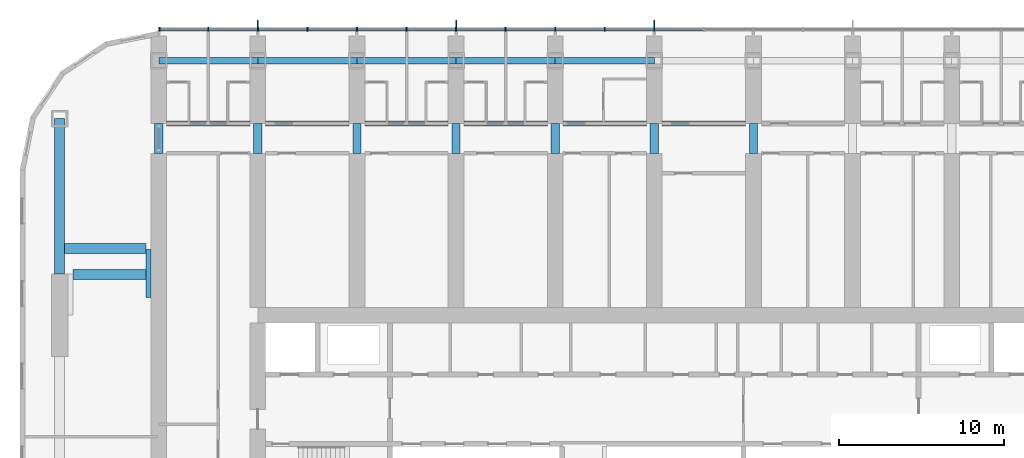
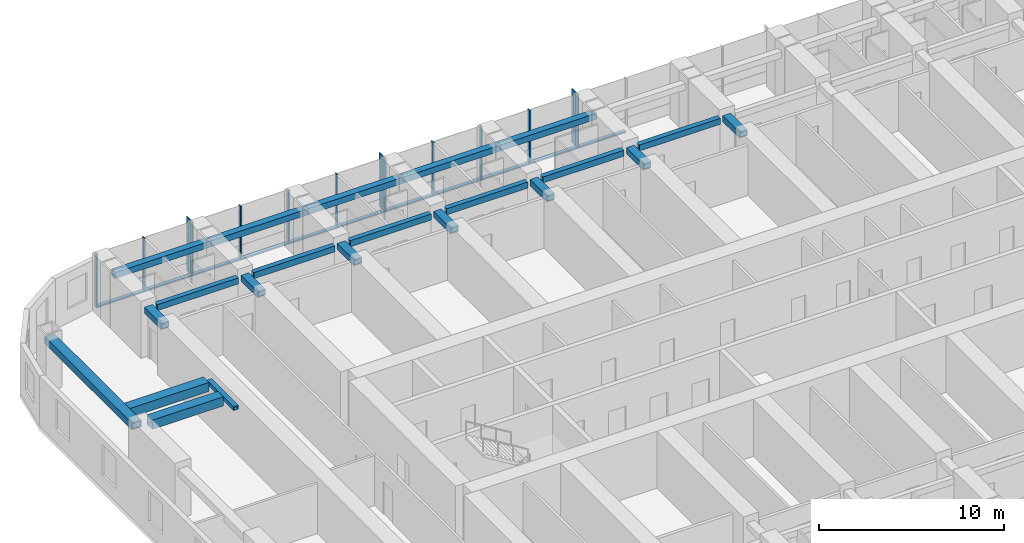
# One storey, part 4 of 22: 25 members, 22 beams, 1 element without a shape of its own.
"""IFC4 building model written with IfcOpenShell, lengths in metres."""

from ifc_helpers import new_model, si_unit, direction, frame, origin, origin_2d, place, context, subcontext, project, spatial, rectangle, hollow_rectangle, extrude, material, material_profile, profile_set, type_object, element, aggregate, save


model = new_model("IFC4")

# Units and contexts
model_context = context("Model", 3, precision=1e-05, world=origin(), true_north=direction((0.0, 1.0)))
body_context = subcontext(model_context, "Body", "Model", "MODEL_VIEW")
ifc_project = project(units=[si_unit("LENGTHUNIT", "METRE"), si_unit("AREAUNIT", "SQUARE_METRE"), si_unit("VOLUMEUNIT", "CUBIC_METRE"), si_unit("PLANEANGLEUNIT", "RADIAN"), si_unit("MASSUNIT", "GRAM", prefix="KILO")], contexts=[model_context])

# Site, building, storey
site_placement = place(None, origin())
site = spatial("IfcSite", under=ifc_project, at=site_placement, CompositionType="ELEMENT")
building_placement = place(site_placement, origin())
building = spatial("IfcBuilding", under=site, at=building_placement, Name="Orbita Commons", CompositionType="ELEMENT")
storey_placement = place(building_placement, frame((0.0, 0.0, 80.64990234375)))
storey = spatial("IfcBuildingStorey", under=building, at=storey_placement, Name="L19", CompositionType="ELEMENT", Elevation=80.64990234375)

# Curtain wall, members
ifc_material_1 = material(Name="Anodised aluminium frame, pale silver", Category="aluminium")
curtain_wall_type = type_object("IfcCurtainWallType", Name="Unitised curtain wall CW-T, vision and spandrel", PredefinedType="NOTDEFINED", material=ifc_material_1)
curtain_wall_placement = place(storey_placement, origin())
curtain_wall = element("IfcCurtainWall", 1, at=curtain_wall_placement, inside=storey, type_object=curtain_wall_type, Name="Curtain wall north L19", PredefinedType="NOTDEFINED")
ifc_material_2 = material(Name="Anodised aluminium, pale silver", Category="aluminium")
ifc_material_profile_1 = material_profile(ifc_material_2, rectangle(XDim=0.080078125, YDim=0.219970703125, at=origin_2d()), Name="AL 80x220")
ifc_profile_set_1 = profile_set([ifc_material_profile_1], Name="Anodised aluminium, pale silver")
member_type_1 = type_object("IfcMemberType", Name="Curtain wall mullion 80x220", PredefinedType="MULLION", material=ifc_profile_set_1)
member_1_placement = place(storey_placement, frame((42.0, 55.510009765625, -0.25), z_axis=(0.0, 0.0, 1.0), x_axis=(-1.0, 0.0, 0.0)))
member_1 = element("IfcMember", 2, at=member_1_placement, type_object=member_type_1, Name="Mullion 9 CW-L19-N", PredefinedType="MULLION", context=body_context, shape_type="SweptSolid", body=[
    extrude(rectangle(XDim=0.080078125, YDim=0.219970703125, at=origin_2d()), origin(), (0.0, 0.0, 1.0), 3.550048828125),
])
member_2_placement = place(storey_placement, frame((39.0, 55.510009765625, -0.25), z_axis=(0.0, 0.0, 1.0), x_axis=(-1.0, 0.0, 0.0)))
member_2 = element("IfcMember", 3, at=member_2_placement, type_object=member_type_1, Name="Mullion 10 CW-L19-N", PredefinedType="MULLION", context=body_context, shape_type="SweptSolid", body=[
    extrude(rectangle(XDim=0.080078125, YDim=0.219970703125, at=origin_2d()), origin(), (0.0, 0.0, 1.0), 3.550048828125),
])
member_3_placement = place(storey_placement, frame((36.0, 55.510009765625, -0.25), z_axis=(0.0, 0.0, 1.0), x_axis=(-1.0, 0.0, 0.0)))
member_3 = element("IfcMember", 4, at=member_3_placement, type_object=member_type_1, Name="Mullion 11 CW-L19-N", PredefinedType="MULLION", context=body_context, shape_type="SweptSolid", body=[
    extrude(rectangle(XDim=0.080078125, YDim=0.219970703125, at=origin_2d()), origin(), (0.0, 0.0, 1.0), 3.550048828125),
])
member_4_placement = place(storey_placement, frame((33.0, 55.510009765625, -0.25), z_axis=(0.0, 0.0, 1.0), x_axis=(-1.0, 0.0, 0.0)))
member_4 = element("IfcMember", 5, at=member_4_placement, type_object=member_type_1, Name="Mullion 12 CW-L19-N", PredefinedType="MULLION", context=body_context, shape_type="SweptSolid", body=[
    extrude(rectangle(XDim=0.080078125, YDim=0.219970703125, at=origin_2d()), origin(), (0.0, 0.0, 1.0), 3.550048828125),
])
member_5_placement = place(storey_placement, frame((30.0, 55.510009765625, -0.25), z_axis=(0.0, 0.0, 1.0), x_axis=(-1.0, 0.0, 0.0)))
member_5 = element("IfcMember", 6, at=member_5_placement, type_object=member_type_1, Name="Mullion 13 CW-L19-N", PredefinedType="MULLION", context=body_context, shape_type="SweptSolid", body=[
    extrude(rectangle(XDim=0.080078125, YDim=0.219970703125, at=origin_2d()), origin(), (0.0, 0.0, 1.0), 3.550048828125),
])
member_6_placement = place(storey_placement, frame((27.0, 55.510009765625, -0.25), z_axis=(0.0, 0.0, 1.0), x_axis=(-1.0, 0.0, 0.0)))
member_6 = element("IfcMember", 7, at=member_6_placement, type_object=member_type_1, Name="Mullion 14 CW-L19-N", PredefinedType="MULLION", context=body_context, shape_type="SweptSolid", body=[
    extrude(rectangle(XDim=0.080078125, YDim=0.219970703125, at=origin_2d()), origin(), (0.0, 0.0, 1.0), 3.550048828125),
])
member_7_placement = place(storey_placement, frame((24.0, 55.510009765625, -0.25), z_axis=(0.0, 0.0, 1.0), x_axis=(-1.0, 0.0, 0.0)))
member_7 = element("IfcMember", 8, at=member_7_placement, type_object=member_type_1, Name="Mullion 15 CW-L19-N", PredefinedType="MULLION", context=body_context, shape_type="SweptSolid", body=[
    extrude(rectangle(XDim=0.080078125, YDim=0.219970703125, at=origin_2d()), origin(), (0.0, 0.0, 1.0), 3.550048828125),
])
member_8_placement = place(storey_placement, frame((21.0, 55.510009765625, -0.25), z_axis=(0.0, 0.0, 1.0), x_axis=(-1.0, 0.0, 0.0)))
member_8 = element("IfcMember", 9, at=member_8_placement, type_object=member_type_1, Name="Mullion 16 CW-L19-N", PredefinedType="MULLION", context=body_context, shape_type="SweptSolid", body=[
    extrude(rectangle(XDim=0.080078125, YDim=0.219970703125, at=origin_2d()), origin(), (0.0, 0.0, 1.0), 3.550048828125),
])
member_9_placement = place(storey_placement, frame((18.0, 55.510009765625, -0.25), z_axis=(0.0, 0.0, 1.0), x_axis=(-1.0, 0.0, 0.0)))
member_9 = element("IfcMember", 10, at=member_9_placement, type_object=member_type_1, Name="Mullion 17 CW-L19-N", PredefinedType="MULLION", context=body_context, shape_type="SweptSolid", body=[
    extrude(rectangle(XDim=0.080078125, YDim=0.219970703125, at=origin_2d()), origin(), (0.0, 0.0, 1.0), 3.550048828125),
])
member_10_placement = place(storey_placement, frame((15.0, 55.510009765625, -0.25), z_axis=(0.0, 0.0, 1.0), x_axis=(-1.0, 0.0, 0.0)))
member_10 = element("IfcMember", 11, at=member_10_placement, type_object=member_type_1, Name="Mullion 18 CW-L19-N", PredefinedType="MULLION", context=body_context, shape_type="SweptSolid", body=[
    extrude(rectangle(XDim=0.080078125, YDim=0.219970703125, at=origin_2d()), origin(), (0.0, 0.0, 1.0), 3.550048828125),
])
member_11_placement = place(storey_placement, frame((12.0400390625, 55.510009765625, -0.25), z_axis=(0.0, 0.0, 1.0), x_axis=(-1.0, 0.0, 0.0)))
member_11 = element("IfcMember", 12, at=member_11_placement, type_object=member_type_1, Name="Mullion 19 CW-L19-N", PredefinedType="MULLION", context=body_context, shape_type="SweptSolid", body=[
    extrude(rectangle(XDim=0.080078125, YDim=0.219970703125, at=origin_2d()), origin(), (0.0, 0.0, 1.0), 3.550048828125),
])
ifc_material_3 = material(Name="Anodised aluminium, pale silver", Category="aluminium")
ifc_material_profile_2 = material_profile(ifc_material_3, rectangle(XDim=0.219970703125, YDim=0.10009765625, at=origin_2d()), Name="AL 220x100")
ifc_profile_set_2 = profile_set([ifc_material_profile_2], Name="Anodised aluminium, pale silver")
member_type_2 = type_object("IfcMemberType", Name="Curtain wall stack transom 220x100", PredefinedType="USERDEFINED", material=ifc_profile_set_2)
member_12_placement = place(storey_placement, frame((44.9599609375, 55.510009765625, -0.199951171875), z_axis=(-1.0, 0.0, 0.0), x_axis=(0.0, -1.0, 0.0)))
member_12 = element("IfcMember", 13, at=member_12_placement, type_object=member_type_2, Name="Transom 8.1 CW-L19-N", ObjectType="TRANSOM", PredefinedType="USERDEFINED", context=body_context, shape_type="SweptSolid", body=[
    extrude(rectangle(XDim=0.219970703125, YDim=0.10009765625, at=origin_2d()), origin(), (0.0, 0.0, 1.0), 2.919921875),
])
member_13_placement = place(storey_placement, frame((41.9599609375, 55.510009765625, -0.199951171875), z_axis=(-1.0, 0.0, 0.0), x_axis=(0.0, -1.0, 0.0)))
member_13 = element("IfcMember", 14, at=member_13_placement, type_object=member_type_2, Name="Transom 9.1 CW-L19-N", ObjectType="TRANSOM", PredefinedType="USERDEFINED", context=body_context, shape_type="SweptSolid", body=[
    extrude(rectangle(XDim=0.219970703125, YDim=0.10009765625, at=origin_2d()), origin(), (0.0, 0.0, 1.0), 2.919921875),
])
member_14_placement = place(storey_placement, frame((38.9599609375, 55.510009765625, -0.199951171875), z_axis=(-1.0, 0.0, 0.0), x_axis=(0.0, -1.0, 0.0)))
member_14 = element("IfcMember", 15, at=member_14_placement, type_object=member_type_2, Name="Transom 10.1 CW-L19-N", ObjectType="TRANSOM", PredefinedType="USERDEFINED", context=body_context, shape_type="SweptSolid", body=[
    extrude(rectangle(XDim=0.219970703125, YDim=0.10009765625, at=origin_2d()), origin(), (0.0, 0.0, 1.0), 2.919921875),
])
member_15_placement = place(storey_placement, frame((35.9599609375, 55.510009765625, -0.199951171875), z_axis=(-1.0, 0.0, 0.0), x_axis=(0.0, -1.0, 0.0)))
member_15 = element("IfcMember", 16, at=member_15_placement, type_object=member_type_2, Name="Transom 11.1 CW-L19-N", ObjectType="TRANSOM", PredefinedType="USERDEFINED", context=body_context, shape_type="SweptSolid", body=[
    extrude(rectangle(XDim=0.219970703125, YDim=0.10009765625, at=origin_2d()), origin(), (0.0, 0.0, 1.0), 2.919921875),
])
member_16_placement = place(storey_placement, frame((32.9599609375, 55.510009765625, -0.199951171875), z_axis=(-1.0, 0.0, 0.0), x_axis=(0.0, -1.0, 0.0)))
member_16 = element("IfcMember", 17, at=member_16_placement, type_object=member_type_2, Name="Transom 12.1 CW-L19-N", ObjectType="TRANSOM", PredefinedType="USERDEFINED", context=body_context, shape_type="SweptSolid", body=[
    extrude(rectangle(XDim=0.219970703125, YDim=0.10009765625, at=origin_2d()), origin(), (0.0, 0.0, 1.0), 2.919921875),
])
member_17_placement = place(storey_placement, frame((29.9599609375, 55.510009765625, -0.199951171875), z_axis=(-1.0, 0.0, 0.0), x_axis=(0.0, -1.0, 0.0)))
member_17 = element("IfcMember", 18, at=member_17_placement, type_object=member_type_2, Name="Transom 13.1 CW-L19-N", ObjectType="TRANSOM", PredefinedType="USERDEFINED", context=body_context, shape_type="SweptSolid", body=[
    extrude(rectangle(XDim=0.219970703125, YDim=0.10009765625, at=origin_2d()), origin(), (0.0, 0.0, 1.0), 2.919921875),
])
member_18_placement = place(storey_placement, frame((26.9599609375, 55.510009765625, -0.199951171875), z_axis=(-1.0, 0.0, 0.0), x_axis=(0.0, -1.0, 0.0)))
member_18 = element("IfcMember", 19, at=member_18_placement, type_object=member_type_2, Name="Transom 14.1 CW-L19-N", ObjectType="TRANSOM", PredefinedType="USERDEFINED", context=body_context, shape_type="SweptSolid", body=[
    extrude(rectangle(XDim=0.219970703125, YDim=0.10009765625, at=origin_2d()), origin(), (0.0, 0.0, 1.0), 2.919921875),
])
member_19_placement = place(storey_placement, frame((23.9599609375, 55.510009765625, -0.199951171875), z_axis=(-1.0, 0.0, 0.0), x_axis=(0.0, -1.0, 0.0)))
member_19 = element("IfcMember", 20, at=member_19_placement, type_object=member_type_2, Name="Transom 15.1 CW-L19-N", ObjectType="TRANSOM", PredefinedType="USERDEFINED", context=body_context, shape_type="SweptSolid", body=[
    extrude(rectangle(XDim=0.219970703125, YDim=0.10009765625, at=origin_2d()), origin(), (0.0, 0.0, 1.0), 2.919921875),
])
member_20_placement = place(storey_placement, frame((20.9599609375, 55.510009765625, -0.199951171875), z_axis=(-1.0, 0.0, 0.0), x_axis=(0.0, -1.0, 0.0)))
member_20 = element("IfcMember", 21, at=member_20_placement, type_object=member_type_2, Name="Transom 16.1 CW-L19-N", ObjectType="TRANSOM", PredefinedType="USERDEFINED", context=body_context, shape_type="SweptSolid", body=[
    extrude(rectangle(XDim=0.219970703125, YDim=0.10009765625, at=origin_2d()), origin(), (0.0, 0.0, 1.0), 2.919921875),
])
member_21_placement = place(storey_placement, frame((17.9599609375, 55.510009765625, -0.199951171875), z_axis=(-1.0, 0.0, 0.0), x_axis=(0.0, -1.0, 0.0)))
member_21 = element("IfcMember", 22, at=member_21_placement, type_object=member_type_2, Name="Transom 17.1 CW-L19-N", ObjectType="TRANSOM", PredefinedType="USERDEFINED", context=body_context, shape_type="SweptSolid", body=[
    extrude(rectangle(XDim=0.219970703125, YDim=0.10009765625, at=origin_2d()), origin(), (0.0, 0.0, 1.0), 2.919921875),
])
member_22_placement = place(storey_placement, frame((14.9599609375, 55.510009765625, -0.199951171875), z_axis=(-1.0, 0.0, 0.0), x_axis=(0.0, -1.0, 0.0)))
member_22 = element("IfcMember", 23, at=member_22_placement, type_object=member_type_2, Name="Transom 18.1 CW-L19-N", ObjectType="TRANSOM", PredefinedType="USERDEFINED", context=body_context, shape_type="SweptSolid", body=[
    extrude(rectangle(XDim=0.219970703125, YDim=0.10009765625, at=origin_2d()), origin(), (0.0, 0.0, 1.0), 2.8798828125),
])

# Beams
ifc_material_4 = material(Name="Steel ASTM A572 Gr 50 welded plate", Category="steel")
ifc_material_profile_3 = material_profile(ifc_material_4, hollow_rectangle(XDim=0.60009765625, YDim=0.60009765625, WallThickness=0.06005859375, at=origin_2d()), Name="BOX 600x600x60")
ifc_profile_set_3 = profile_set([ifc_material_profile_3], Name="Steel ASTM A572 Gr 50 welded plate")
beam_type_1 = type_object("IfcBeamType", Name="Stair trimmer beam BOX 600x600x60", PredefinedType="BEAM", material=ifc_profile_set_3)
beam_1_placement = place(storey_placement, frame((6.800048828125, 40.675048828125, 3.0), z_axis=(1.0, 0.0, 0.0), x_axis=(0.0, 1.0, 0.0)))
element("IfcBeam", 24, at=beam_1_placement, inside=storey, type_object=beam_type_1, Name="Neighbourhood stair L20 to L21 transfer beam 1", PredefinedType="BEAM", context=body_context, shape_type="SweptSolid", body=[
    extrude(hollow_rectangle(XDim=0.60009765625, YDim=0.60009765625, WallThickness=0.06005859375, at=origin_2d()), origin(), (0.0, 0.0, 1.0), 4.425048828125),
])
beam_2_placement = place(storey_placement, frame((6.300048828125, 42.235107421875, 3.0), z_axis=(1.0, 0.0, 0.0), x_axis=(0.0, 1.0, 0.0)))
element("IfcBeam", 25, at=beam_2_placement, inside=storey, type_object=beam_type_1, Name="Neighbourhood stair L20 to L21 transfer beam 2", PredefinedType="BEAM", context=body_context, shape_type="SweptSolid", body=[
    extrude(hollow_rectangle(XDim=0.60009765625, YDim=0.60009765625, WallThickness=0.06005859375, at=origin_2d()), origin(), (0.0, 0.0, 1.0), 4.925048828125),
])
ifc_material_5 = material(Name="Steel ASTM A572 Gr 50 welded plate", Category="steel")
ifc_material_profile_4 = material_profile(ifc_material_5, hollow_rectangle(XDim=0.300048828125, YDim=0.39990234375, WallThickness=0.0400390625, at=origin_2d()), Name="BOX 400x300x40")
ifc_profile_set_4 = profile_set([ifc_material_profile_4], Name="Steel ASTM A572 Gr 50 welded plate")
beam_type_2 = type_object("IfcBeamType", Name="Steel corridor link BOX 400x300x40", PredefinedType="BEAM", material=ifc_profile_set_4)
for number, where, z_axis, x_axis, name in (
    (26, (12.47509765625, 49.800048828125, 3.10009765625), (1.0, 0.0, 0.0), (0.0, 1.0, 0.0), "Corridor beam NB 3-4 L19"),
    (27, (18.47509765625, 49.800048828125, 3.10009765625), (1.0, 0.0, 0.0), (0.0, 1.0, 0.0), "Corridor beam NB 4-5 L19"),
    (28, (24.47509765625, 49.800048828125, 3.10009765625), (1.0, 0.0, 0.0), (0.0, 1.0, 0.0), "Corridor beam NB 5-6 L19"),
    (29, (30.47509765625, 49.800048828125, 3.10009765625), (1.0, 0.0, 0.0), (0.0, 1.0, 0.0), "Corridor beam NB 6-7 L19"),
    (30, (36.47509765625, 49.800048828125, 3.10009765625), (1.0, 0.0, 0.0), (0.0, 1.0, 0.0), "Corridor beam NB 7-8 L19"),
    (31, (42.47509765625, 49.800048828125, 3.10009765625), (1.0, 0.0, 0.0), (0.0, 1.0, 0.0), "Corridor beam NB 8-9 L19"),
):
    element("IfcBeam", number, at=place(storey_placement, frame(where, z_axis=z_axis, x_axis=x_axis)), inside=storey, type_object=beam_type_2, Name=name, PredefinedType="BEAM", context=body_context, shape_type="SweptSolid", body=[
        extrude(hollow_rectangle(XDim=0.300048828125, YDim=0.39990234375, WallThickness=0.0400390625, at=origin_2d()), origin(), (0.0, 0.0, 1.0), 5.0498046875),
    ])
ifc_material_6 = material(Name="Steel ASTM A572 Gr 50 welded plate", Category="steel")
ifc_material_profile_5 = material_profile(ifc_material_6, hollow_rectangle(XDim=0.5, YDim=0.39990234375, WallThickness=0.050048828125, at=origin_2d()), Name="BOX 400x500x50")
ifc_profile_set_5 = profile_set([ifc_material_profile_5], Name="Steel ASTM A572 Gr 50 welded plate")
beam_type_3 = type_object("IfcBeamType", Name="Steel coupling link BOX 400x500x50", PredefinedType="LINTEL", material=ifc_profile_set_5)
for number, where, z_axis, x_axis, name in (
    (32, (12.0, 48.0, 3.10009765625), (0.0, 1.0, 0.0), (-1.0, 0.0, 0.0), "Coupling beam 3 north L19"),
    (33, (18.0, 48.0, 3.10009765625), (0.0, 1.0, 0.0), (-1.0, 0.0, 0.0), "Coupling beam 4 north L19"),
    (34, (24.0, 48.0, 3.10009765625), (0.0, 1.0, 0.0), (-1.0, 0.0, 0.0), "Coupling beam 5 north L19"),
    (35, (30.0, 48.0, 3.10009765625), (0.0, 1.0, 0.0), (-1.0, 0.0, 0.0), "Coupling beam 6 north L19"),
    (36, (36.0, 48.0, 3.10009765625), (0.0, 1.0, 0.0), (-1.0, 0.0, 0.0), "Coupling beam 7 north L19"),
    (37, (42.0, 48.0, 3.10009765625), (0.0, 1.0, 0.0), (-1.0, 0.0, 0.0), "Coupling beam 8 north L19"),
    (38, (48.0, 48.0, 3.10009765625), (0.0, 1.0, 0.0), (-1.0, 0.0, 0.0), "Coupling beam 9 north L19"),
):
    element("IfcBeam", number, at=place(storey_placement, frame(where, z_axis=z_axis, x_axis=x_axis)), inside=storey, type_object=beam_type_3, Name=name, PredefinedType="LINTEL", context=body_context, shape_type="SweptSolid", body=[
        extrude(hollow_rectangle(XDim=0.5, YDim=0.39990234375, WallThickness=0.050048828125, at=origin_2d()), origin(), (0.0, 0.0, 1.0), 1.800048828125),
    ])
ifc_material_7 = material(Name="Steel ASTM A572 Gr 50 welded plate", Category="steel")
ifc_material_profile_6 = material_profile(ifc_material_7, hollow_rectangle(XDim=0.60009765625, YDim=0.449951171875, WallThickness=0.06005859375, at=origin_2d()), Name="BOX 450x600x60")
ifc_profile_set_6 = profile_set([ifc_material_profile_6], Name="Steel ASTM A572 Gr 50 welded plate")
beam_type_4 = type_object("IfcBeamType", Name="Steel end frame link BOX 450x600x60", PredefinedType="BEAM", material=ifc_profile_set_6)
beam_3_placement = place(storey_placement, frame((6.0, 40.699951171875, 3.0751953125), z_axis=(0.0, 1.0, 0.0), x_axis=(-1.0, 0.0, 0.0)))
element("IfcBeam", 39, at=beam_3_placement, inside=storey, type_object=beam_type_4, Name="End frame beam 2 D-E L19", PredefinedType="BEAM", context=body_context, shape_type="SweptSolid", body=[
    extrude(hollow_rectangle(XDim=0.60009765625, YDim=0.449951171875, WallThickness=0.06005859375, at=origin_2d()), origin(), (0.0, 0.0, 1.0), 9.400146484375),
])
ifc_material_8 = material(Name="Steel ASTM A572 Gr 50 welded plate", Category="steel")
ifc_material_profile_7 = material_profile(ifc_material_8, hollow_rectangle(XDim=0.39990234375, YDim=0.39990234375, WallThickness=0.0400390625, at=origin_2d()), Name="BOX 400x400x40")
ifc_profile_set_7 = profile_set([ifc_material_profile_7], Name="Steel ASTM A572 Gr 50 welded plate")
beam_type_5 = type_object("IfcBeamType", Name="Steel spandrel BOX 400x400x40", PredefinedType="SPANDREL", material=ifc_profile_set_7)
for number, where, z_axis, x_axis, name in (
    (40, (12.0, 53.60009765625, 3.10009765625), (1.0, 0.0, 0.0), (0.0, 1.0, 0.0), "Spandrel beam E 3-4 L19"),
    (41, (18.0, 53.60009765625, 3.10009765625), (1.0, 0.0, 0.0), (0.0, 1.0, 0.0), "Spandrel beam E 4-5 L19"),
    (42, (24.0, 53.60009765625, 3.10009765625), (1.0, 0.0, 0.0), (0.0, 1.0, 0.0), "Spandrel beam E 5-6 L19"),
    (43, (30.0, 53.60009765625, 3.10009765625), (1.0, 0.0, 0.0), (0.0, 1.0, 0.0), "Spandrel beam E 6-7 L19"),
    (44, (36.0, 53.60009765625, 3.10009765625), (1.0, 0.0, 0.0), (0.0, 1.0, 0.0), "Spandrel beam E 7-8 L19"),
):
    element("IfcBeam", number, at=place(storey_placement, frame(where, z_axis=z_axis, x_axis=x_axis)), inside=storey, type_object=beam_type_5, Name=name, PredefinedType="SPANDREL", context=body_context, shape_type="SweptSolid", body=[
        extrude(hollow_rectangle(XDim=0.39990234375, YDim=0.39990234375, WallThickness=0.0400390625, at=origin_2d()), origin(), (0.0, 0.0, 1.0), 6.0),
    ])
ifc_material_9 = material(Name="Steel ASTM A572 Gr 50 welded plate", Category="steel")
ifc_material_profile_8 = material_profile(ifc_material_9, hollow_rectangle(XDim=0.300048828125, YDim=0.25, WallThickness=0.02490234375, at=origin_2d()), Name="BOX 250x300x25")
ifc_profile_set_8 = profile_set([ifc_material_profile_8], Name="Steel ASTM A572 Gr 50 welded plate")
beam_type_6 = type_object("IfcBeamType", Name="Trimmer ledger beam BOX 250x300x25", PredefinedType="BEAM", material=ifc_profile_set_8)
beam_4_placement = place(storey_placement, frame((11.375, 39.272705078125, 3.175048828125), z_axis=(0.0, 1.0, 0.0), x_axis=(-1.0, 0.0, 0.0)))
element("IfcBeam", 45, at=beam_4_placement, inside=storey, type_object=beam_type_6, Name="Neighbourhood stair L20 to L21 trimmer ledger 1E", PredefinedType="BEAM", context=body_context, shape_type="SweptSolid", body=[
    extrude(hollow_rectangle(XDim=0.300048828125, YDim=0.25, WallThickness=0.02490234375, at=origin_2d()), origin(), (0.0, 0.0, 1.0), 2.9091796875),
])

# Member
ifc_material_10 = material(Name="Anodised aluminium, pale silver", Category="aluminium")
ifc_material_profile_9 = material_profile(ifc_material_10, rectangle(XDim=0.06005859375, YDim=0.449951171875, at=origin_2d()), Name="FIN 60x450")
ifc_profile_set_9 = profile_set([ifc_material_profile_9], Name="Anodised aluminium, pale silver")
member_type_3 = type_object("IfcMemberType", Name="Vertical fin 60x450 pale aluminium", PredefinedType="USERDEFINED", material=ifc_profile_set_9)
member_23_placement = place(storey_placement, frame((42.0, 55.844970703125, -0.25), z_axis=(0.0, 0.0, 1.0), x_axis=(-1.0, 0.0, 0.0)))
member_23 = element("IfcMember", 46, at=member_23_placement, type_object=member_type_3, Name="Fin 9 CW-L19-N", ObjectType="FIN", PredefinedType="USERDEFINED", context=body_context, shape_type="SweptSolid", body=[
    extrude(rectangle(XDim=0.06005859375, YDim=0.449951171875, at=origin_2d()), origin(), (0.0, 0.0, 1.0), 3.550048828125),
])

member_24_placement = place(storey_placement, frame((30.0, 55.844970703125, -0.25), z_axis=(0.0, 0.0, 1.0), x_axis=(-1.0, 0.0, 0.0)))
member_24 = element("IfcMember", 47, at=member_24_placement, type_object=member_type_3, Name="Fin 13 CW-L19-N", ObjectType="FIN", PredefinedType="USERDEFINED", context=body_context, shape_type="SweptSolid", body=[
    extrude(rectangle(XDim=0.06005859375, YDim=0.449951171875, at=origin_2d()), origin(), (0.0, 0.0, 1.0), 3.550048828125),
])

member_25_placement = place(storey_placement, frame((18.0, 55.844970703125, -0.25), z_axis=(0.0, 0.0, 1.0), x_axis=(-1.0, 0.0, 0.0)))
member_25 = element("IfcMember", 48, at=member_25_placement, type_object=member_type_3, Name="Fin 17 CW-L19-N", ObjectType="FIN", PredefinedType="USERDEFINED", context=body_context, shape_type="SweptSolid", body=[
    extrude(rectangle(XDim=0.06005859375, YDim=0.449951171875, at=origin_2d()), origin(), (0.0, 0.0, 1.0), 3.550048828125),
])

aggregate(curtain_wall, [member_1, member_23, member_2, member_3, member_4, member_5, member_24, member_6, member_7, member_8, member_9, member_25, member_10, member_11, member_12, member_13, member_14, member_15, member_16, member_17, member_18, member_19, member_20, member_21, member_22])

save(model, "model.ifc")
